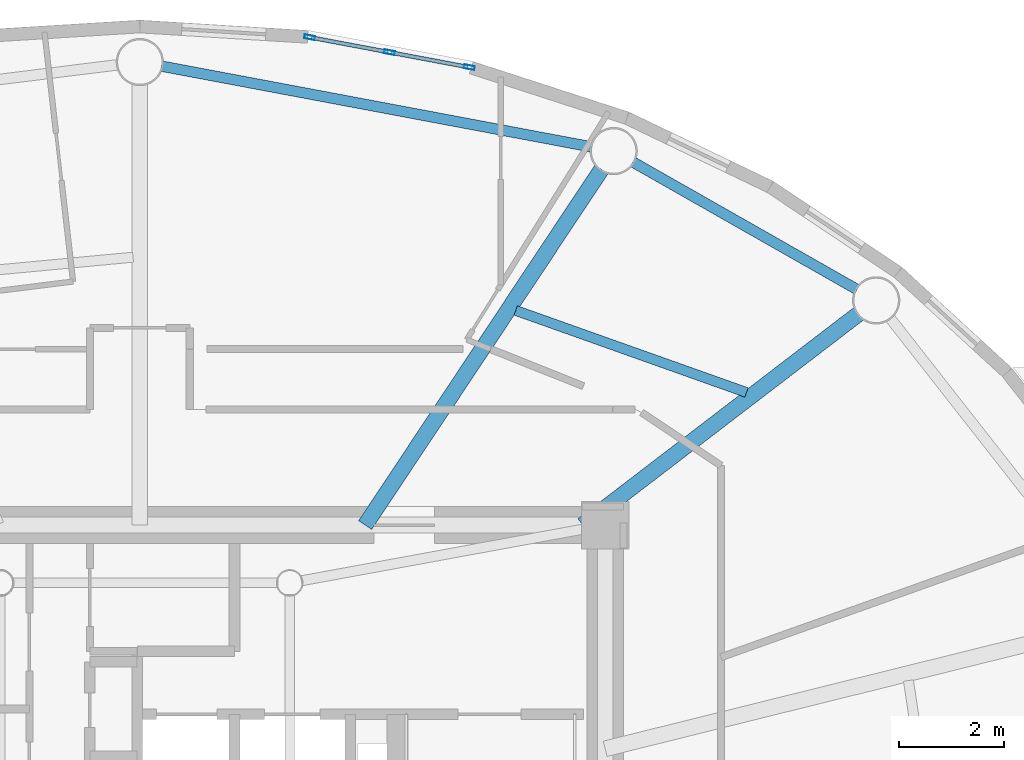
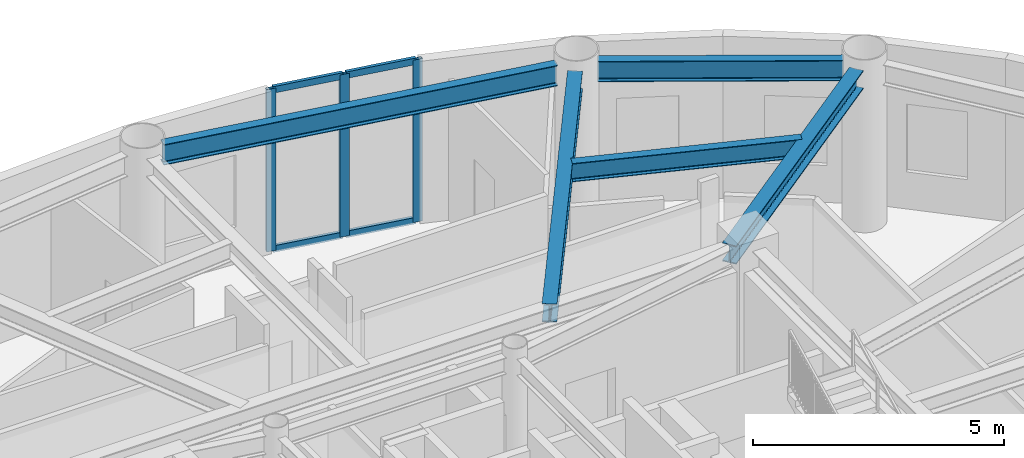
# One storey, part 10 of 24: 7 members, 5 beams, 1 element without a shape of its own.
"""IFC4 building model written with IfcOpenShell, lengths in metres."""

from ifc_helpers import new_model, si_unit, direction, frame, origin, origin_2d, place, context, subcontext, project, spatial, hollow_rectangle, i_section, extrude, source, transform, mapped, material, layer, layer_set, material_profile, profile_set, type_object, element, aggregate, save


model = new_model("IFC4")

# Units and contexts
model_context = context("Model", 3, precision=1e-05, world=origin(), true_north=direction((0.0, 1.0)))
body_context = subcontext(model_context, "Body", "Model", "MODEL_VIEW")
ifc_project = project(units=[si_unit("LENGTHUNIT", "METRE"), si_unit("AREAUNIT", "SQUARE_METRE"), si_unit("VOLUMEUNIT", "CUBIC_METRE"), si_unit("PLANEANGLEUNIT", "RADIAN"), si_unit("MASSUNIT", "GRAM", prefix="KILO")], contexts=[model_context])

# Site, building, storey
site_placement = place(None, origin())
site = spatial("IfcSite", under=ifc_project, at=site_placement, CompositionType="ELEMENT")
building_placement = place(site_placement, origin())
building = spatial("IfcBuilding", under=site, at=building_placement, Name="Linh Dai School and Residence Tower", CompositionType="ELEMENT")
storey_placement = place(building_placement, frame((0.0, 0.0, 355.199951171875)))
storey = spatial("IfcBuildingStorey", under=building, at=storey_placement, Name="L88", CompositionType="ELEMENT", Elevation=355.199951171875)

# Beams
ifc_material_1 = material(Name="Structural Steel S355JR", Category="steel")
ifc_material_profile_1 = material_profile(ifc_material_1, i_section(OverallWidth=0.199951171875, OverallDepth=0.5, WebThickness=0.01025390625, FlangeThickness=0.01611328125, FilletRadius=0.02099609375, at=origin_2d()), Name="IPE 500")
ifc_profile_set_1 = profile_set([ifc_material_profile_1], Name="Structural Steel S355JR")
beam_type_1 = type_object("IfcBeamType", Name="BM-RB50", PredefinedType="BEAM", material=ifc_profile_set_1)
beam_1_placement = place(storey_placement, frame((49.637451171875, 37.930419921875, 3.699951171875), z_axis=(-0.86923725405, 0.494395182189, 0.0), x_axis=(-0.494395182189, -0.86923725405, 0.0)))
element("IfcBeam", 1, at=beam_1_placement, inside=storey, type_object=beam_type_1, Name="L88 Perimeter Elliptical Ring Beam 03", PredefinedType="BEAM", context=body_context, shape_type="SweptSolid", body=[
    extrude(i_section(OverallWidth=0.199951171875, OverallDepth=0.5, WebThickness=0.01025390625, FlangeThickness=0.01611328125, FilletRadius=0.02099609375, at=origin_2d()), origin(), (0.0, 0.0, 1.0), 4.903076171875),
])
beam_2_placement = place(storey_placement, frame((44.597412109375, 40.6396484375, 3.699951171875), z_axis=(-0.98280175603, 0.184663771066, 0.0), x_axis=(-0.184663771066, -0.98280175603, 0.0)))
element("IfcBeam", 2, at=beam_2_placement, inside=storey, type_object=beam_type_1, Name="L88 Perimeter Elliptical Ring Beam 04", PredefinedType="BEAM", context=body_context, shape_type="SweptSolid", body=[
    extrude(i_section(OverallWidth=0.199951171875, OverallDepth=0.5, WebThickness=0.01025390625, FlangeThickness=0.01611328125, FilletRadius=0.02099609375, at=origin_2d()), origin(), (0.0, 0.0, 1.0), 8.327880859375),
])
ifc_material_profile_2 = material_profile(ifc_material_1, i_section(OverallWidth=0.300048828125, OverallDepth=0.449951171875, WebThickness=0.013916015625, FlangeThickness=0.02587890625, FilletRadius=0.027099609375, at=origin_2d()), Name="HEB 450")
ifc_profile_set_2 = profile_set([ifc_material_profile_2], Name="Structural Steel S355JR")
beam_type_2 = type_object("IfcBeamType", Name="BM-RG45", PredefinedType="BEAM", material=ifc_profile_set_2)
beam_3_placement = place(storey_placement, frame((44.4228515625, 33.449951171875, 3.72509765625), z_axis=(0.793929753809, 0.608009495006, 0.0), x_axis=(-0.608009495006, 0.793929753809, 0.0)))
element("IfcBeam", 3, at=beam_3_placement, inside=storey, type_object=beam_type_2, Name="L88 Primary Radial Floor Girder 03", PredefinedType="BEAM", context=body_context, shape_type="SweptSolid", body=[
    extrude(i_section(OverallWidth=0.300048828125, OverallDepth=0.449951171875, WebThickness=0.013916015625, FlangeThickness=0.02587890625, FilletRadius=0.027099609375, at=origin_2d()), origin(), (0.0, 0.0, 1.0), 6.607666015625),
])
beam_4_placement = place(storey_placement, frame((40.28515625, 33.449951171875, 3.72509765625), z_axis=(0.553380967678, 0.832928270989, 0.0), x_axis=(-0.832928270989, 0.553380967678, 0.0)))
element("IfcBeam", 4, at=beam_4_placement, inside=storey, type_object=beam_type_2, Name="L88 Primary Radial Floor Girder 04", PredefinedType="BEAM", context=body_context, shape_type="SweptSolid", body=[
    extrude(i_section(OverallWidth=0.300048828125, OverallDepth=0.449951171875, WebThickness=0.013916015625, FlangeThickness=0.02587890625, FilletRadius=0.027099609375, at=origin_2d()), origin(), (0.0, 0.0, 1.0), 8.11865234375),
])
ifc_material_profile_3 = material_profile(ifc_material_1, i_section(OverallWidth=0.18994140625, OverallDepth=0.449951171875, WebThickness=0.009521484375, FlangeThickness=0.0146484375, FilletRadius=0.02099609375, at=origin_2d()), Name="IPE 450")
ifc_profile_set_3 = profile_set([ifc_material_profile_3], Name="Structural Steel S355JR")
beam_type_3 = type_object("IfcBeamType", Name="BM-SB45", PredefinedType="BEAM", material=ifc_profile_set_3)
beam_5_placement = place(storey_placement, frame((47.536376953125, 35.9716796875, 3.72509765625), z_axis=(-0.942243736347, 0.334927964366, 0.0), x_axis=(-0.334927964366, -0.942243736347, 0.0)))
element("IfcBeam", 5, at=beam_5_placement, inside=storey, type_object=beam_type_3, Name="L88 Secondary Circumferential Floor Beam 02", PredefinedType="BEAM", context=body_context, shape_type="SweptSolid", body=[
    extrude(i_section(OverallWidth=0.18994140625, OverallDepth=0.449951171875, WebThickness=0.009521484375, FlangeThickness=0.0146484375, FilletRadius=0.02099609375, at=origin_2d()), origin(), (0.0, 0.0, 1.0), 4.6572265625),
])

# Curtain wall, members
ifc_material_2 = material(Name="Aluminium Anodised Curtain Wall", Category="aluminium")
ifc_layer = layer(ifc_material_2, 0.199951171875)
ifc_layer_set = layer_set([ifc_layer], Name="Aluminium Anodised Curtain Wall")
curtain_wall_type = type_object("IfcCurtainWallType", Name="CW-SYS-6", PredefinedType="USERDEFINED", material=ifc_layer_set)
curtain_wall_placement = place(storey_placement, origin())
curtain_wall = element("IfcCurtainWall", 6, at=curtain_wall_placement, inside=storey, type_object=curtain_wall_type, Name="L88 CW6 Curtain Wall 09", ObjectType="UNITISED CURTAIN WALL", PredefinedType="USERDEFINED")
ifc_material_3 = material(Name="Aluminium Alloy 6063-T6", Category="aluminium")
ifc_material_profile_4 = material_profile(ifc_material_3, hollow_rectangle(XDim=0.074951171875, YDim=0.159912109375, WallThickness=0.00390625, at=origin_2d()), Name="RHS 160x75x4")
ifc_profile_set_4 = profile_set([ifc_material_profile_4], Name="Aluminium Alloy 6063-T6")
member_type_1 = type_object("IfcMemberType", Name="CW-SYS-6-TRN", PredefinedType="USERDEFINED", material=ifc_profile_set_4)
shared_shape_1 = source(origin(), body_context, "Body", "SweptSolid", [
    extrude(hollow_rectangle(XDim=0.074951171875, YDim=0.159912109375, WallThickness=0.00390625, at=origin_2d()), origin(), (0.0, 0.0, 1.0), 1.47119140625),
])
member_1_placement = place(storey_placement, frame((39.26513671875, 42.719482421875, 0.03759765625), z_axis=(0.982763050939, -0.184869645178, 0.0), x_axis=(0.184869645178, 0.982763050939, 0.0)))
member_1 = element("IfcMember", 7, at=member_1_placement, type_object=member_type_1, Name="CW6 transom 1.1", ObjectType="TRANSOM", PredefinedType="USERDEFINED", context=body_context, shape_type="MappedRepresentation", body=[
    mapped(shared_shape_1, transform((0.0, 0.0, 0.0), x_axis=(1.0, 0.0, 0.0), y_axis=(0.0, 1.0, 0.0), z_axis=(0.0, 0.0, 1.0), scale=1.0)),
])
member_2_placement = place(storey_placement, frame((39.26513671875, 42.719482421875, 3.91259765625), z_axis=(0.982763050939, -0.184869645178, 0.0), x_axis=(0.184869645178, 0.982763050939, 0.0)))
member_2 = element("IfcMember", 8, at=member_2_placement, type_object=member_type_1, Name="CW6 transom 1.2", ObjectType="TRANSOM", PredefinedType="USERDEFINED", context=body_context, shape_type="MappedRepresentation", body=[
    mapped(shared_shape_1, transform((0.0, 0.0, 0.0), x_axis=(1.0, 0.0, 0.0), y_axis=(0.0, 1.0, 0.0), z_axis=(0.0, 0.0, 1.0), scale=1.0)),
])
shared_shape_2 = source(origin(), body_context, "Body", "SweptSolid", [
    extrude(hollow_rectangle(XDim=0.074951171875, YDim=0.159912109375, WallThickness=0.00390625, at=origin_2d()), origin(), (0.0, 0.0, 1.0), 1.470947265625),
])
member_3_placement = place(storey_placement, frame((40.78466796875, 42.433837890625, 0.03759765625), z_axis=(0.982757377873, -0.184899800532, 0.0), x_axis=(0.184899800532, 0.982757377873, 0.0)))
member_3 = element("IfcMember", 9, at=member_3_placement, type_object=member_type_1, Name="CW6 transom 2.1", ObjectType="TRANSOM", PredefinedType="USERDEFINED", context=body_context, shape_type="MappedRepresentation", body=[
    mapped(shared_shape_2, transform((0.0, 0.0, 0.0), x_axis=(1.0, 0.0, 0.0), y_axis=(0.0, 1.0, 0.0), z_axis=(0.0, 0.0, 1.0), scale=1.0)),
])
member_4_placement = place(storey_placement, frame((40.78466796875, 42.433837890625, 3.91259765625), z_axis=(0.982757377873, -0.184899800532, 0.0), x_axis=(0.184899800532, 0.982757377873, 0.0)))
member_4 = element("IfcMember", 10, at=member_4_placement, type_object=member_type_1, Name="CW6 transom 2.2", ObjectType="TRANSOM", PredefinedType="USERDEFINED", context=body_context, shape_type="MappedRepresentation", body=[
    mapped(shared_shape_2, transform((0.0, 0.0, 0.0), x_axis=(1.0, 0.0, 0.0), y_axis=(0.0, 1.0, 0.0), z_axis=(0.0, 0.0, 1.0), scale=1.0)),
])
ifc_material_profile_5 = material_profile(ifc_material_3, hollow_rectangle(XDim=0.074951171875, YDim=0.199951171875, WallThickness=0.00390625, at=origin_2d()), Name="RHS 200x75x4")
ifc_profile_set_5 = profile_set([ifc_material_profile_5], Name="Aluminium Alloy 6063-T6")
member_type_2 = type_object("IfcMemberType", Name="CW-SYS-6-MUL", PredefinedType="MULLION", material=ifc_profile_set_5)
shared_shape_3 = source(origin(), body_context, "Body", "SweptSolid", [
    extrude(hollow_rectangle(XDim=0.074951171875, YDim=0.199951171875, WallThickness=0.00390625, at=origin_2d()), origin(), (0.0, 0.0, 1.0), 3.949951171875),
])
member_5_placement = place(storey_placement, frame((39.228271484375, 42.726318359375, 0.0), z_axis=(0.0, 0.0, 1.0), x_axis=(0.184784564405, 0.982779051851, 0.0)))
member_5 = element("IfcMember", 11, at=member_5_placement, type_object=member_type_2, Name="CW6 mullion 1", PredefinedType="MULLION", context=body_context, shape_type="MappedRepresentation", body=[
    mapped(shared_shape_3, transform((0.0, 0.0, 0.0), x_axis=(1.0, 0.0, 0.0), y_axis=(0.0, 1.0, 0.0), z_axis=(0.0, 0.0, 1.0), scale=1.0)),
])
member_6_placement = place(storey_placement, frame((40.747802734375, 42.440673828125, 0.0), z_axis=(0.0, 0.0, 1.0), x_axis=(0.184784564405, 0.982779051851, 0.0)))
member_6 = element("IfcMember", 12, at=member_6_placement, type_object=member_type_2, Name="CW6 mullion 2", PredefinedType="MULLION", context=body_context, shape_type="MappedRepresentation", body=[
    mapped(shared_shape_3, transform((0.0, 0.0, 0.0), x_axis=(1.0, 0.0, 0.0), y_axis=(0.0, 1.0, 0.0), z_axis=(0.0, 0.0, 1.0), scale=1.0)),
])
member_7_placement = place(storey_placement, frame((42.26708984375, 42.155029296875, 0.0), z_axis=(0.0, 0.0, 1.0), x_axis=(0.184784564405, 0.982779051851, 0.0)))
member_7 = element("IfcMember", 13, at=member_7_placement, type_object=member_type_2, Name="CW6 mullion 3", PredefinedType="MULLION", context=body_context, shape_type="MappedRepresentation", body=[
    mapped(shared_shape_3, transform((0.0, 0.0, 0.0), x_axis=(1.0, 0.0, 0.0), y_axis=(0.0, 1.0, 0.0), z_axis=(0.0, 0.0, 1.0), scale=1.0)),
])
aggregate(curtain_wall, [member_5, member_6, member_7, member_1, member_2, member_3, member_4])

save(model, "model.ifc")
